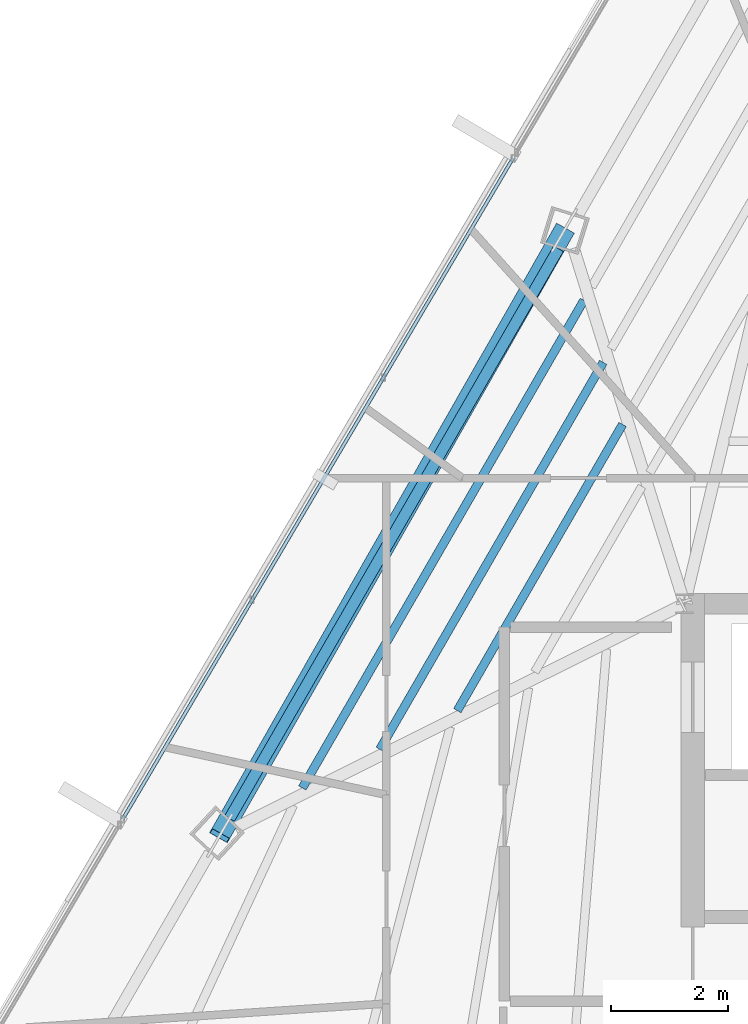
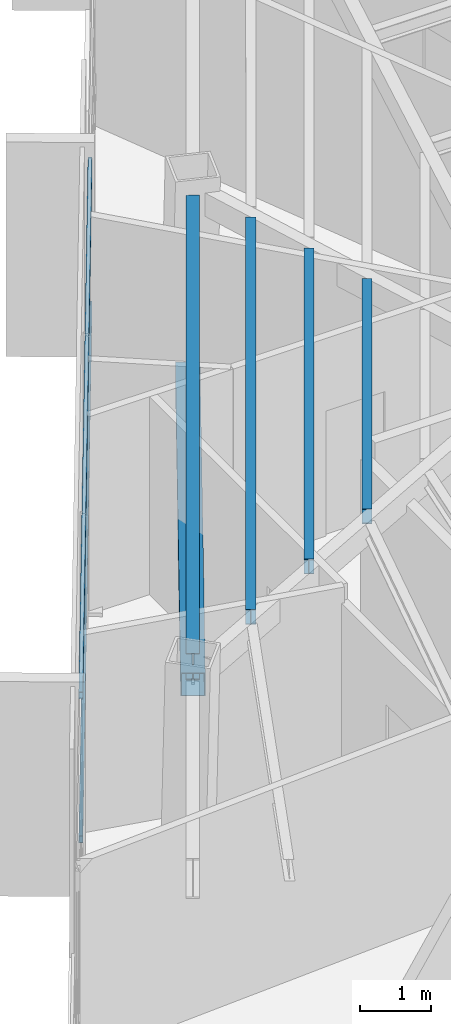
# One storey, part 16 of 45: 4 beams, 3 members, 1 element without a shape of its own.
"""IFC4 building model written with IfcOpenShell, lengths in metres."""

from ifc_helpers import new_model, si_unit, direction, frame, origin, origin_2d, place, context, subcontext, project, spatial, hollow_rectangle, i_section, extrude, source, transform, mapped, material, material_profile, profile_set, type_object, type_shapes, element, aggregate, save


model = new_model("IFC4")

# Units and contexts
model_context = context("Model", 3, precision=1e-05, world=origin(), true_north=direction((0.0, 1.0)))
body_context = subcontext(model_context, "Body", "Model", "MODEL_VIEW")
ifc_project = project(units=[si_unit("LENGTHUNIT", "METRE"), si_unit("AREAUNIT", "SQUARE_METRE"), si_unit("VOLUMEUNIT", "CUBIC_METRE"), si_unit("PLANEANGLEUNIT", "RADIAN"), si_unit("MASSUNIT", "GRAM", prefix="KILO")], contexts=[model_context])

# Site, building, storey
site_placement = place(None, origin())
site = spatial("IfcSite", under=ifc_project, at=site_placement, CompositionType="ELEMENT")
building_placement = place(site_placement, origin())
building = spatial("IfcBuilding", under=site, at=building_placement, Name="Caelisora Broadcast Tower", CompositionType="ELEMENT")
storey_placement = place(building_placement, frame((0.0, 0.0, 266.35009765625)))
storey = spatial("IfcBuildingStorey", under=building, at=storey_placement, Name="L70", CompositionType="ELEMENT", Elevation=266.35009765625)

# Beams
ifc_material_1 = material(Name="Steel Grade 350 (AS/NZS 3679.1)", Category="steel")
ifc_material_profile_1 = material_profile(ifc_material_1, i_section(OverallWidth=0.19091796875, OverallDepth=0.46044921875, WebThickness=0.010009765625, FlangeThickness=0.01611328125, at=origin_2d()), Name="Steel Grade 350 (AS/NZS 3679.1)")
ifc_profile_set_1 = profile_set([ifc_material_profile_1], Name="Steel Grade 350 (AS/NZS 3679.1)")
beam_type_1 = type_object("IfcBeamType", Name="PG06", PredefinedType="BEAM", material=ifc_profile_set_1)
shared_shape_1 = source(origin(), body_context, "Body", "SweptSolid", [
    extrude(i_section(OverallWidth=0.19091796875, OverallDepth=0.46044921875, WebThickness=0.010009765625, FlangeThickness=0.01611328125, at=origin_2d()), origin(), (0.0, 0.0, 1.0), 11.25537109375),
])
type_shapes(beam_type_1, [shared_shape_1])
beam_1_placement = place(storey_placement, frame((28.34423828125, 36.072998046875, 3.169677734375), z_axis=(-0.500004726013, -0.866022675202, 0.0), x_axis=(0.866022675202, -0.500004726013, 0.0)))
element("IfcBeam", 1, at=beam_1_placement, inside=storey, type_object=beam_type_1, Name="L70 beam PG06", PredefinedType="BEAM", context=body_context, shape_type="MappedRepresentation", body=[
    mapped(shared_shape_1, transform((0.0, 0.0, 0.0), scale=1.0)),
])
ifc_material_profile_2 = material_profile(ifc_material_1, i_section(OverallWidth=0.14599609375, OverallDepth=0.256103515625, WebThickness=0.00634765625, FlangeThickness=0.010986328125, at=origin_2d()), Name="Steel Grade 350 (AS/NZS 3679.1)")
ifc_profile_set_2 = profile_set([ifc_material_profile_2], Name="Steel Grade 350 (AS/NZS 3679.1)")
beam_type_2 = type_object("IfcBeamType", Name="SB04", PredefinedType="JOIST", material=ifc_profile_set_2)
shared_shape_2 = source(origin(), body_context, "Body", "SweptSolid", [
    extrude(i_section(OverallWidth=0.14599609375, OverallDepth=0.256103515625, WebThickness=0.00634765625, FlangeThickness=0.010986328125, at=origin_2d()), origin(), (0.0, 0.0, 1.0), 5.654296875),
])
beam_2_placement = place(storey_placement, frame((29.440185546875, 33.067626953125, 3.271728515625), z_axis=(-0.500035156112, -0.866005105443, 0.0), x_axis=(0.866005105443, -0.500035156112, 0.0)))
element("IfcBeam", 2, at=beam_2_placement, inside=storey, type_object=beam_type_2, Name="L70 beam SB04", PredefinedType="JOIST", context=body_context, shape_type="MappedRepresentation", body=[
    mapped(shared_shape_2, transform((0.0, 0.0, 0.0), scale=1.0)),
])
shared_shape_3 = source(origin(), body_context, "Body", "SweptSolid", [
    extrude(i_section(OverallWidth=0.14599609375, OverallDepth=0.256103515625, WebThickness=0.00634765625, FlangeThickness=0.010986328125, at=origin_2d()), origin(), (0.0, 0.0, 1.0), 7.64306640625),
])
beam_3_placement = place(storey_placement, frame((29.10888671875, 34.128662109375, 3.271728515625), z_axis=(-0.499997113229, -0.866027070456, 0.0), x_axis=(0.866027070456, -0.499997113229, 0.0)))
element("IfcBeam", 3, at=beam_3_placement, inside=storey, type_object=beam_type_2, Name="L70 beam SB04", PredefinedType="JOIST", context=body_context, shape_type="MappedRepresentation", body=[
    mapped(shared_shape_3, transform((0.0, 0.0, 0.0), scale=1.0)),
])
shared_shape_4 = source(origin(), body_context, "Body", "SweptSolid", [
    extrude(i_section(OverallWidth=0.14599609375, OverallDepth=0.256103515625, WebThickness=0.00634765625, FlangeThickness=0.010986328125, at=origin_2d()), origin(), (0.0, 0.0, 1.0), 9.6318359375),
])
type_shapes(beam_type_2, [shared_shape_2, shared_shape_3, shared_shape_4])
beam_4_placement = place(storey_placement, frame((28.77783203125, 35.189697265625, 3.271728515625), z_axis=(-0.50000476601, -0.86602265211, 0.0), x_axis=(0.86602265211, -0.50000476601, 0.0)))
element("IfcBeam", 4, at=beam_4_placement, inside=storey, type_object=beam_type_2, Name="L70 beam SB04", PredefinedType="JOIST", context=body_context, shape_type="MappedRepresentation", body=[
    mapped(shared_shape_4, transform((0.0, 0.0, 0.0), scale=1.0)),
])

# Member
ifc_material_2 = material(Name="Steel Grade 450 (AS/NZS 1163 C450L0)", Category="steel")
ifc_material_profile_3 = material_profile(ifc_material_2, hollow_rectangle(XDim=0.35009765625, YDim=0.35009765625, WallThickness=0.012451171875, at=origin_2d()), Name="Steel Grade 450 (AS/NZS 1163 C450L0)")
ifc_profile_set_3 = profile_set([ifc_material_profile_3], Name="Steel Grade 450 (AS/NZS 1163 C450L0)")
member_type_1 = type_object("IfcMemberType", Name="BR05", PredefinedType="BRACE", material=ifc_profile_set_3)
shared_shape_5 = source(origin(), body_context, "Body", "SweptSolid", [
    extrude(hollow_rectangle(XDim=0.35009765625, YDim=0.35009765625, WallThickness=0.012451171875, at=origin_2d()), origin(), (0.0, 0.0, 1.0), 12.286865234375),
])
type_shapes(member_type_1, [shared_shape_5])
member_1_placement = place(storey_placement, frame((28.4423828125, 36.3876953125, 0.099853515625), z_axis=(-0.479759360555, -0.842743166669, 0.244161649306), x_axis=(0.869045214959, -0.494732669587, 0.0)))
element("IfcMember", 5, at=member_1_placement, inside=storey, type_object=member_type_1, Name="L70 perimeter brace BR05", PredefinedType="BRACE", context=body_context, shape_type="MappedRepresentation", body=[
    mapped(shared_shape_5, transform((0.0, 0.0, 0.0), scale=1.0)),
])

# Curtain wall, members
ifc_material_3 = material(Name="Unitised Aluminium Insulated Shadow-Box Spandrel Curtain Wall", Category="aluminium")
curtain_wall_type = type_object("IfcCurtainWallType", Name="CW-SP3", PredefinedType="NOTDEFINED", material=ifc_material_3)
curtain_wall_placement = place(storey_placement, origin())
curtain_wall = element("IfcCurtainWall", 6, at=curtain_wall_placement, inside=storey, type_object=curtain_wall_type, Name="L70 curtain wall CW-SP3", PredefinedType="NOTDEFINED")
ifc_material_4 = material(Name="Aluminium 6063-T6 Anodised Terracotta Bronze", Category="aluminium")
ifc_material_profile_4 = material_profile(ifc_material_4, hollow_rectangle(XDim=0.06005859375, YDim=0.1201171875, WallThickness=0.0029296875, at=origin_2d()), Name="Aluminium 6063-T6 Anodised Terracotta Bronze")
ifc_profile_set_4 = profile_set([ifc_material_profile_4], Name="Aluminium 6063-T6 Anodised Terracotta Bronze")
member_type_2 = type_object("IfcMemberType", Name="CWT-03", PredefinedType="USERDEFINED", material=ifc_profile_set_4)
shared_shape_6 = source(origin(), body_context, "Body", "SweptSolid", [
    extrude(hollow_rectangle(XDim=0.06005859375, YDim=0.1201171875, WallThickness=0.0029296875, at=origin_2d()), origin(), (0.0, 0.0, 1.0), 13.137939453125),
])
type_shapes(member_type_2, [shared_shape_6])
member_2_placement = place(storey_placement, frame((20.88623046875, 26.312255859375, 0.849853515625), z_axis=(0.50853960054, 0.861038602318, 0.0), x_axis=(-0.861038602318, 0.50853960054, 0.0)))
member_2 = element("IfcMember", 7, at=member_2_placement, type_object=member_type_2, Name="L70-CW-B10 transom #1", ObjectType="TRANSOM", PredefinedType="USERDEFINED", context=body_context, shape_type="MappedRepresentation", body=[
    mapped(shared_shape_6, transform((0.0, 0.0, 0.0), scale=1.0)),
])
member_3_placement = place(storey_placement, frame((20.88623046875, 26.312255859375, 3.31982421875), z_axis=(0.50853960054, 0.861038602318, 0.0), x_axis=(-0.861038602318, 0.50853960054, 0.0)))
member_3 = element("IfcMember", 8, at=member_3_placement, type_object=member_type_2, Name="L70-CW-B10 transom #2", ObjectType="TRANSOM", PredefinedType="USERDEFINED", context=body_context, shape_type="MappedRepresentation", body=[
    mapped(shared_shape_6, transform((0.0, 0.0, 0.0), scale=1.0)),
])
aggregate(curtain_wall, [member_2, member_3])

save(model, "model.ifc")
